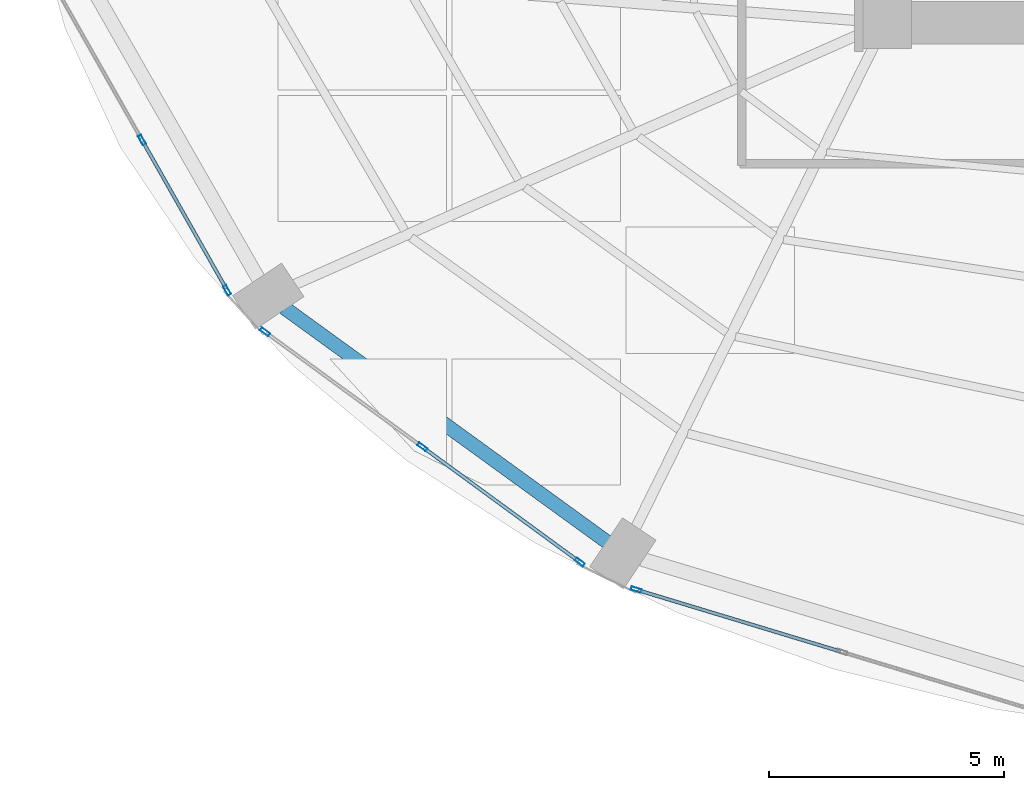
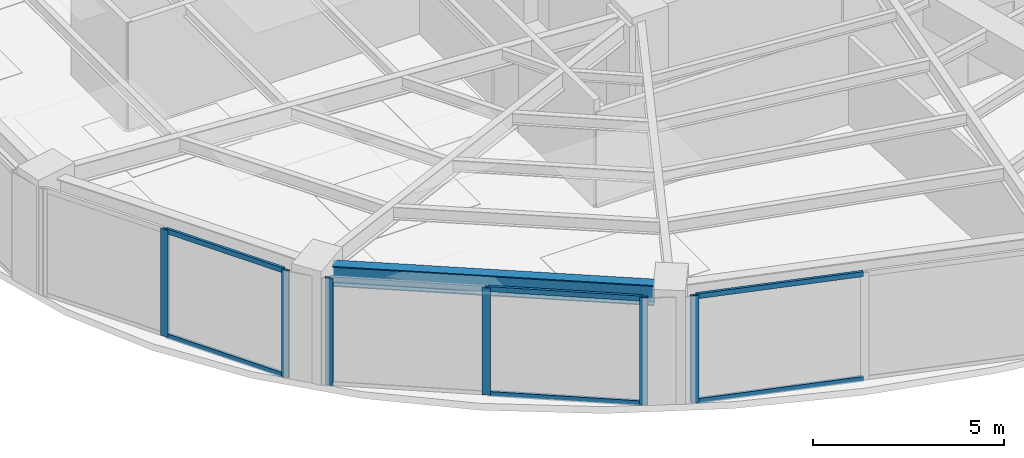
# One storey, part 2 of 25: 12 members, 1 beam, 3 elements without a shape of their own.
"""IFC4 building model written with IfcOpenShell, lengths in metres."""

from ifc_helpers import new_model, si_unit, direction, frame, origin, origin_2d, place, context, subcontext, project, spatial, hollow_rectangle, i_section, extrude, material, layer, layer_set, material_profile, profile_set, type_object, element, aggregate, save


model = new_model("IFC4")

# Units and contexts
model_context = context("Model", 3, precision=1e-05, world=origin(), true_north=direction((0.0, 1.0)))
body_context = subcontext(model_context, "Body", "Model", "MODEL_VIEW")
ifc_project = project(units=[si_unit("LENGTHUNIT", "METRE"), si_unit("AREAUNIT", "SQUARE_METRE"), si_unit("VOLUMEUNIT", "CUBIC_METRE"), si_unit("PLANEANGLEUNIT", "RADIAN"), si_unit("MASSUNIT", "GRAM", prefix="KILO")], contexts=[model_context])

# Site, building, storey
site_placement = place(None, origin())
site = spatial("IfcSite", under=ifc_project, at=site_placement, CompositionType="ELEMENT")
building_placement = place(site_placement, origin())
building = spatial("IfcBuilding", under=site, at=building_placement, Name="Lazwardi Medical Tower", CompositionType="ELEMENT")
storey_placement = place(building_placement, frame((0.0, 0.0, 47.087890625)))
storey = spatial("IfcBuildingStorey", under=building, at=storey_placement, Name="L11", CompositionType="ELEMENT", Elevation=47.087890625)

# Beam
ifc_material_1 = material(Name="Steel S355", Category="steel")
ifc_material_profile_1 = material_profile(ifc_material_1, i_section(OverallWidth=0.300048828125, OverallDepth=0.64990234375, WebThickness=0.01611328125, FlangeThickness=0.031005859375, at=origin_2d()), Name="HEB 650")
ifc_profile_set_1 = profile_set([ifc_material_profile_1], Name="Steel S355")
beam_type = type_object("IfcBeamType", Name="BM-RB-Z1", PredefinedType="BEAM", material=ifc_profile_set_1)
beam_placement = place(storey_placement, frame((13.6201171875, 14.339111328125, 3.10302734375), z_axis=(0.809407079515, -0.587247971159, 0.0), x_axis=(0.587247971159, 0.809407079515, 0.0)))
element("IfcBeam", 1, at=beam_placement, inside=storey, type_object=beam_type, Name="Ring beam RB-02 B14 L11", PredefinedType="BEAM", context=body_context, shape_type="SweptSolid", body=[
    extrude(i_section(OverallWidth=0.300048828125, OverallDepth=0.64990234375, WebThickness=0.01611328125, FlangeThickness=0.031005859375, at=origin_2d()), origin(), (0.0, 0.0, 1.0), 8.473876953125),
])

# Curtain wall, members
ifc_material_2 = material(Name="Anodised bronze aluminium and solar control glazing", Category="aluminium")
ifc_layer = layer(ifc_material_2, 0.199951171875)
ifc_layer_set = layer_set([ifc_layer], Name="Anodised bronze aluminium and solar control glazing")
curtain_wall_type = type_object("IfcCurtainWallType", Name="CW-SYS-02", PredefinedType="NOTDEFINED", material=ifc_layer_set)
curtain_wall_1_placement = place(storey_placement, origin())
curtain_wall_1 = element("IfcCurtainWall", 2, at=curtain_wall_1_placement, inside=storey, type_object=curtain_wall_type, Name="L11 Unitised bronze curtain wall CW-02", PredefinedType="NOTDEFINED")
ifc_material_3 = material(Name="Anodised bronze aluminium", Category="aluminium")
ifc_material_profile_2 = material_profile(ifc_material_3, hollow_rectangle(XDim=0.074951171875, YDim=0.219970703125, WallThickness=0.00390625, at=origin_2d()), Name="ALU-MULLION 220x75x4")
ifc_profile_set_2 = profile_set([ifc_material_profile_2], Name="Anodised bronze aluminium")
member_type_1 = type_object("IfcMemberType", Name="CW-MUL-01", PredefinedType="MULLION", material=ifc_profile_set_2)
member_1_placement = place(storey_placement, frame((10.5947265625, 17.904541015625, 0.0), z_axis=(0.0, 0.0, 1.0), x_axis=(0.870111838823, 0.492854327303, 0.0)))
member_1 = element("IfcMember", 3, at=member_1_placement, type_object=member_type_1, Name="CW-02 mullion 2", PredefinedType="MULLION", context=body_context, shape_type="SweptSolid", body=[
    extrude(hollow_rectangle(XDim=0.074951171875, YDim=0.219970703125, WallThickness=0.00390625, at=origin_2d()), origin(), (0.0, 0.0, 1.0), 3.42822265625),
])
member_2_placement = place(storey_placement, frame((12.4033203125, 14.71142578125, 0.0), z_axis=(0.0, 0.0, 1.0), x_axis=(0.870111838823, 0.492854327303, 0.0)))
member_2 = element("IfcMember", 4, at=member_2_placement, type_object=member_type_1, Name="CW-02 mullion 3", PredefinedType="MULLION", context=body_context, shape_type="SweptSolid", body=[
    extrude(hollow_rectangle(XDim=0.074951171875, YDim=0.219970703125, WallThickness=0.00390625, at=origin_2d()), origin(), (0.0, 0.0, 1.0), 3.42822265625),
])

curtain_wall_2_placement = place(storey_placement, origin())
curtain_wall_2 = element("IfcCurtainWall", 5, at=curtain_wall_2_placement, inside=storey, type_object=curtain_wall_type, Name="L11 Unitised bronze curtain wall CW-02", PredefinedType="NOTDEFINED")
member_3_placement = place(storey_placement, frame((13.209716796875, 13.827392578125, 0.0), z_axis=(0.0, 0.0, 1.0), x_axis=(0.590289307341, 0.807191757663, 0.0)))
member_3 = element("IfcMember", 6, at=member_3_placement, type_object=member_type_1, Name="CW-02 mullion 1", PredefinedType="MULLION", context=body_context, shape_type="SweptSolid", body=[
    extrude(hollow_rectangle(XDim=0.074951171875, YDim=0.219970703125, WallThickness=0.00390625, at=origin_2d()), origin(), (0.0, 0.0, 1.0), 3.42822265625),
])
member_4_placement = place(storey_placement, frame((16.5556640625, 11.380615234375, 0.0), z_axis=(0.0, 0.0, 1.0), x_axis=(0.590289307341, 0.807191757663, 0.0)))
member_4 = element("IfcMember", 7, at=member_4_placement, type_object=member_type_1, Name="CW-02 mullion 2", PredefinedType="MULLION", context=body_context, shape_type="SweptSolid", body=[
    extrude(hollow_rectangle(XDim=0.074951171875, YDim=0.219970703125, WallThickness=0.00390625, at=origin_2d()), origin(), (0.0, 0.0, 1.0), 3.42822265625),
])
member_5_placement = place(storey_placement, frame((19.9013671875, 8.933837890625, 0.0), z_axis=(0.0, 0.0, 1.0), x_axis=(0.590289307341, 0.807191757663, 0.0)))
member_5 = element("IfcMember", 8, at=member_5_placement, type_object=member_type_1, Name="CW-02 mullion 3", PredefinedType="MULLION", context=body_context, shape_type="SweptSolid", body=[
    extrude(hollow_rectangle(XDim=0.074951171875, YDim=0.219970703125, WallThickness=0.00390625, at=origin_2d()), origin(), (0.0, 0.0, 1.0), 3.42822265625),
])

# Curtain wall, member
curtain_wall_3_placement = place(storey_placement, origin())
curtain_wall_3 = element("IfcCurtainWall", 9, at=curtain_wall_3_placement, inside=storey, type_object=curtain_wall_type, Name="L11 Unitised bronze curtain wall CW-02", PredefinedType="NOTDEFINED")
member_6_placement = place(storey_placement, frame((21.1015625, 8.346923828125, 0.0), z_axis=(0.0, 0.0, 1.0), x_axis=(0.2898956909, 0.957058247129, 0.0)))
member_6 = element("IfcMember", 10, at=member_6_placement, type_object=member_type_1, Name="CW-02 mullion 1", PredefinedType="MULLION", context=body_context, shape_type="SweptSolid", body=[
    extrude(hollow_rectangle(XDim=0.074951171875, YDim=0.219970703125, WallThickness=0.00390625, at=origin_2d()), origin(), (0.0, 0.0, 1.0), 3.42822265625),
])

# Member
ifc_material_profile_3 = material_profile(ifc_material_3, hollow_rectangle(XDim=0.074951171875, YDim=0.159912109375, WallThickness=0.00390625, at=origin_2d()), Name="ALU-TRANSOM 160x75x4")
ifc_profile_set_3 = profile_set([ifc_material_profile_3], Name="Anodised bronze aluminium")
member_type_2 = type_object("IfcMemberType", Name="CW-TRN-01", PredefinedType="USERDEFINED", material=ifc_profile_set_3)
member_7_placement = place(storey_placement, frame((10.613037109375, 17.871826171875, 0.03759765625), z_axis=(0.492880614687, -0.870096948429, 0.0), x_axis=(0.870096948429, 0.492880614687, 0.0)))
member_7 = element("IfcMember", 11, at=member_7_placement, type_object=member_type_2, Name="CW-02 transom 2.1", ObjectType="TRANSOM", PredefinedType="USERDEFINED", context=body_context, shape_type="SweptSolid", body=[
    extrude(hollow_rectangle(XDim=0.074951171875, YDim=0.159912109375, WallThickness=0.00390625, at=origin_2d()), origin(), (0.0, 0.0, 1.0), 3.5947265625),
])

member_8_placement = place(storey_placement, frame((10.613037109375, 17.871826171875, 3.390625), z_axis=(0.492880614687, -0.870096948429, 0.0), x_axis=(0.870096948429, 0.492880614687, 0.0)))
member_8 = element("IfcMember", 12, at=member_8_placement, type_object=member_type_2, Name="CW-02 transom 2.2", ObjectType="TRANSOM", PredefinedType="USERDEFINED", context=body_context, shape_type="SweptSolid", body=[
    extrude(hollow_rectangle(XDim=0.074951171875, YDim=0.159912109375, WallThickness=0.00390625, at=origin_2d()), origin(), (0.0, 0.0, 1.0), 3.5947265625),
])

aggregate(curtain_wall_1, [member_1, member_2, member_7, member_8])

member_9_placement = place(storey_placement, frame((16.5859375, 11.358642578125, 0.03759765625), z_axis=(0.807169053975, -0.590320352271, 0.0), x_axis=(0.590320352271, 0.807169053975, 0.0)))
member_9 = element("IfcMember", 13, at=member_9_placement, type_object=member_type_2, Name="CW-02 transom 2.1", ObjectType="TRANSOM", PredefinedType="USERDEFINED", context=body_context, shape_type="SweptSolid", body=[
    extrude(hollow_rectangle(XDim=0.074951171875, YDim=0.159912109375, WallThickness=0.00390625, at=origin_2d()), origin(), (0.0, 0.0, 1.0), 4.070068359375),
])

member_10_placement = place(storey_placement, frame((16.5859375, 11.358642578125, 3.390625), z_axis=(0.807169053975, -0.590320352271, 0.0), x_axis=(0.590320352271, 0.807169053975, 0.0)))
member_10 = element("IfcMember", 14, at=member_10_placement, type_object=member_type_2, Name="CW-02 transom 2.2", ObjectType="TRANSOM", PredefinedType="USERDEFINED", context=body_context, shape_type="SweptSolid", body=[
    extrude(hollow_rectangle(XDim=0.074951171875, YDim=0.159912109375, WallThickness=0.00390625, at=origin_2d()), origin(), (0.0, 0.0, 1.0), 4.070068359375),
])

aggregate(curtain_wall_2, [member_3, member_4, member_5, member_9, member_10])

member_11_placement = place(storey_placement, frame((21.137451171875, 8.3359375, 0.03759765625), z_axis=(0.957062297904, -0.289882317383, 0.0), x_axis=(0.289882317383, 0.957062297904, 0.0)))
member_11 = element("IfcMember", 15, at=member_11_placement, type_object=member_type_2, Name="CW-02 transom 1.1", ObjectType="TRANSOM", PredefinedType="USERDEFINED", context=body_context, shape_type="SweptSolid", body=[
    extrude(hollow_rectangle(XDim=0.074951171875, YDim=0.159912109375, WallThickness=0.00390625, at=origin_2d()), origin(), (0.0, 0.0, 1.0), 4.49658203125),
])

member_12_placement = place(storey_placement, frame((21.137451171875, 8.3359375, 3.390625), z_axis=(0.957062297904, -0.289882317383, 0.0), x_axis=(0.289882317383, 0.957062297904, 0.0)))
member_12 = element("IfcMember", 16, at=member_12_placement, type_object=member_type_2, Name="CW-02 transom 1.2", ObjectType="TRANSOM", PredefinedType="USERDEFINED", context=body_context, shape_type="SweptSolid", body=[
    extrude(hollow_rectangle(XDim=0.074951171875, YDim=0.159912109375, WallThickness=0.00390625, at=origin_2d()), origin(), (0.0, 0.0, 1.0), 4.49658203125),
])

aggregate(curtain_wall_3, [member_6, member_11, member_12])

save(model, "model.ifc")
